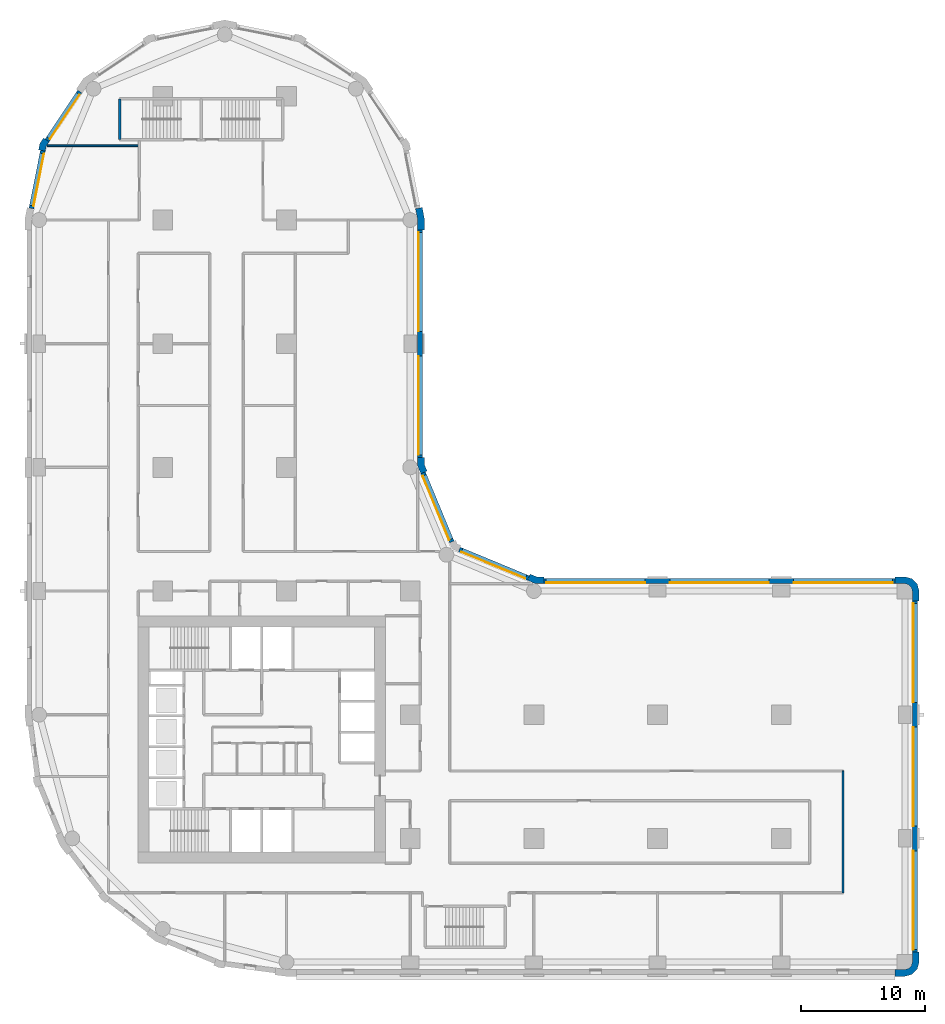
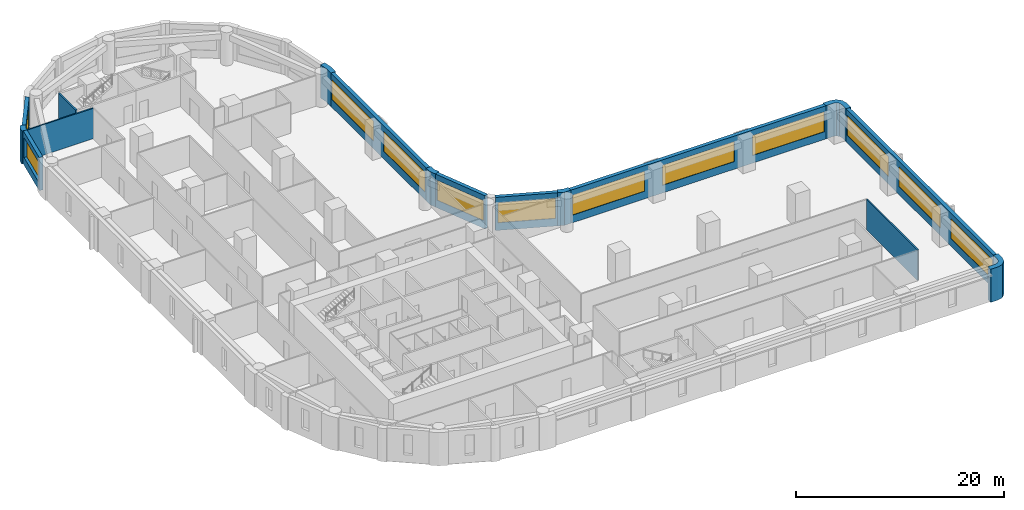
# One storey, part 6 of 10: 16 walls, 12 windows, 12 openings.
"""IFC4 building model written with IfcOpenShell, lengths in metres."""

import ifcopenshell
import ifcopenshell.guid

model = None  # the IFC model being written
_history = None  # IfcOwnerHistory: only IFC2X3 demands one
_inside = {}  # id of a spatial element -> (the spatial element, [elements in it])
_under = {}  # id of a project, library or spatial element -> (it, [spatial elements below it])
_declared = {}  # id of a project -> (the project, [libraries it declares])
_typed = {}  # id of a type object -> (the type object, [elements of that type])
_made_of = {}  # id of a material, layer set ... -> (it, [elements and type objects made of it])


def new_model(schema):
    """Start an empty IFC model of exactly this schema.

    Asked for "IFC4X3", IfcOpenShell would pick the latest addendum, in which some entities
    have other attributes; the version numbers below select the first issue.
    IFC2X3 requires an IfcOwnerHistory on every rooted entity: one is made here for all.
    """
    global model, _history
    if schema == "IFC4X3":
        model = ifcopenshell.file(schema_version=(4, 3, 0, 0))
    else:
        model = ifcopenshell.file(schema=schema)
    _inside.clear()
    _under.clear()
    _declared.clear()
    _typed.clear()
    _made_of.clear()
    _history = None
    if model.schema == "IFC2X3":
        org = make("IfcOrganization", Name="unknown")
        user = make(
            "IfcPersonAndOrganization",
            ThePerson=make("IfcPerson", FamilyName="unknown"),
            TheOrganization=org,
        )
        app = make(
            "IfcApplication",
            ApplicationDeveloper=org,
            Version="unknown",
            ApplicationFullName="unknown",
            ApplicationIdentifier="unknown",
        )
        _history = make(
            "IfcOwnerHistory",
            OwningUser=user,
            OwningApplication=app,
            ChangeAction="ADDED",
            CreationDate=0,
        )
    return model


def make(cls, **values):
    """One entity of the class cls with the attributes given. An attribute that is None is left unset."""
    return model.create_entity(
        cls, **{name: value for name, value in values.items() if value is not None}
    )


def rooted(cls, **values):
    """An entity with a GlobalId (a new one), such as an element, a storey or a relation."""
    return make(cls, GlobalId=ifcopenshell.guid.new(), OwnerHistory=_history, **values)


def si_unit(unit_type, name, prefix=None):
    """IfcSIUnit, for example si_unit("LENGTHUNIT", "METRE", prefix="MILLI")."""
    return make("IfcSIUnit", UnitType=unit_type, Prefix=prefix, Name=name)


def assignment(units):
    """IfcUnitAssignment: the units of a project."""
    return None if units is None else make("IfcUnitAssignment", Units=units)


def point(xyz):
    """IfcCartesianPoint."""
    return None if xyz is None else make("IfcCartesianPoint", Coordinates=xyz)


def direction(xyz):
    """IfcDirection."""
    return None if xyz is None else make("IfcDirection", DirectionRatios=xyz)


def frame(location, z_axis=None, x_axis=None):
    """IfcAxis2Placement3D, a coordinate frame: its origin and axes. An axis left out is left unset."""
    return make(
        "IfcAxis2Placement3D",
        Location=point(location),
        Axis=direction(z_axis),
        RefDirection=direction(x_axis),
    )


def frame_2d(location, x_axis=None):
    """IfcAxis2Placement2D, a coordinate frame in the plane: its origin and x axis."""
    return make(
        "IfcAxis2Placement2D", Location=point(location), RefDirection=direction(x_axis)
    )


def origin():
    """The frame at (0, 0, 0) with its axes left unset."""
    return frame((0.0, 0.0, 0.0))


def place(relative_to, where):
    """IfcLocalPlacement: puts the frame where relative to a parent placement (None: the world)."""
    return make(
        "IfcLocalPlacement", PlacementRelTo=relative_to, RelativePlacement=where
    )


def context(
    kind, dimensions, precision=None, world=None, true_north=None, identifier=None
):
    """IfcGeometricRepresentationContext, for example the 3D "Model" context."""
    return make(
        "IfcGeometricRepresentationContext",
        ContextIdentifier=identifier,
        ContextType=kind,
        CoordinateSpaceDimension=dimensions,
        Precision=precision,
        WorldCoordinateSystem=world,
        TrueNorth=true_north,
    )


def subcontext(parent, identifier, kind, view, scale=None):
    """IfcGeometricRepresentationSubContext, for example "Body" below "Model"."""
    return make(
        "IfcGeometricRepresentationSubContext",
        ContextIdentifier=identifier,
        ContextType=kind,
        ParentContext=parent,
        TargetScale=scale,
        TargetView=view,
    )


def project(units=None, contexts=None):
    """IfcProject with its units and contexts."""
    return rooted(
        "IfcProject",
        Name="project",
        RepresentationContexts=contexts,
        UnitsInContext=assignment(units),
    )


def spatial(cls, under=None, at=None, **own):
    """A site, building, storey or space (cls), placed at a placement, below another one or the project."""
    s = rooted(cls, ObjectPlacement=at, **own)
    if under is not None:
        _under.setdefault(under.id(), (under, []))[1].append(s)
    return s


def polyline(points):
    """IfcPolyline through the points."""
    return make("IfcPolyline", Points=[point(p) for p in points])


def profile(cls, at=None, kind="AREA", **sizes):
    """A parametric profile (cls). Its sizes go by their IFC names, for example OverallWidth=200.0."""
    return make(cls, ProfileType=kind, Position=at, **sizes)


def rectangle(**sizes):
    """IfcRectangleProfileDef."""
    return profile("IfcRectangleProfileDef", **sizes)


def outline(outer, holes=None, kind="AREA"):
    """IfcArbitraryClosedProfileDef: a profile drawn as a closed curve; with holes, ...WithVoids."""
    if holes is None:
        return make("IfcArbitraryClosedProfileDef", ProfileType=kind, OuterCurve=outer)
    return make(
        "IfcArbitraryProfileDefWithVoids",
        ProfileType=kind,
        OuterCurve=outer,
        InnerCurves=holes,
    )


def extrude(swept, where, along, depth):
    """IfcExtrudedAreaSolid: the profile swept, set in the frame where, extruded along a direction by depth."""
    return make(
        "IfcExtrudedAreaSolid",
        SweptArea=swept,
        Position=where,
        ExtrudedDirection=direction(along),
        Depth=depth,
    )


def shape(context_of_items, identifier, shape_type, items):
    """IfcShapeRepresentation: the items that make up one representation, for example the "Body"."""
    return make(
        "IfcShapeRepresentation",
        ContextOfItems=context_of_items,
        RepresentationIdentifier=identifier,
        RepresentationType=shape_type,
        Items=items,
    )


def material(Name=None, Category=None):
    """IfcMaterial."""
    return make("IfcMaterial", Name=Name, Category=Category)


def layer(
    of_material, thickness, ventilated=None, Name=None, Category=None, Priority=None
):
    """IfcMaterialLayer: one layer of a wall or slab, of a material (None: an air gap)."""
    return make(
        "IfcMaterialLayer",
        Material=of_material,
        LayerThickness=thickness,
        IsVentilated=ventilated,
        Name=Name,
        Category=Category,
        Priority=Priority,
    )


def layer_set(layers, Name=None):
    """IfcMaterialLayerSet."""
    return make("IfcMaterialLayerSet", MaterialLayers=layers, LayerSetName=Name)


def made_of(thing, what):
    """Note that an element or type object is made of a material, layer set ...; save() writes the relation."""
    if what is not None:
        _made_of.setdefault(what.id(), (what, []))[1].append(thing)
    return thing


def type_object(cls, material=None, **own):
    """A type object (cls), such as IfcWallType, which elements share."""
    return made_of(rooted(cls, **own), material)


def element(
    cls,
    number,
    at=None,
    inside=None,
    cuts=None,
    type_object=None,
    material=None,
    context=None,
    identifier="Body",
    shape_type=None,
    held_by="IfcProductDefinitionShape",
    body=None,
    shapes=None,
    **own,
):
    """One element of the class cls, such as IfcWall. Its Tag is "e" and its number.

    at: its placement. inside: the storey or other place that contains it. cuts: it is an
    opening in that element (IfcRelVoidsElement). A single representation is given by context,
    identifier, shape_type and body (its items); several are given by shapes. held_by: the class
    of the entity that holds the representations. save() writes the other relations.
    """
    e = rooted(cls, Tag="e%d" % number, ObjectPlacement=at, **own)
    if body is not None:
        shapes = [shape(context, identifier, shape_type, body)]
    if shapes is not None:
        e.Representation = make(held_by, Representations=shapes)
    if inside is not None:
        _inside.setdefault(inside.id(), (inside, []))[1].append(e)
    if cuts is not None:
        rooted(
            "IfcRelVoidsElement", RelatingBuildingElement=cuts, RelatedOpeningElement=e
        )
    if type_object is not None:
        _typed.setdefault(type_object.id(), (type_object, []))[1].append(e)
    return made_of(e, material)


def fill(opening, filler):
    """IfcRelFillsElement: the door or window that sits in an opening."""
    return rooted(
        "IfcRelFillsElement",
        RelatingOpeningElement=opening,
        RelatedBuildingElement=filler,
    )


def aggregate(whole, parts):
    """IfcRelAggregates: a whole, such as a stair, and the parts it consists of."""
    return rooted("IfcRelAggregates", RelatingObject=whole, RelatedObjects=parts)


def save(model, path):
    """Write the relations noted so far, then the file.

    IfcRelAggregates (storeys below a building ...), IfcRelContainedInSpatialStructure (elements
    in a storey), IfcRelDefinesByType, IfcRelAssociatesMaterial and IfcRelDeclares: one each for
    every whole, place, type object, material and project.
    """
    for whole, parts in _under.values():
        aggregate(whole, parts)
    for where, things in _inside.values():
        rooted(
            "IfcRelContainedInSpatialStructure",
            RelatedElements=things,
            RelatingStructure=where,
        )
    for kind, things in _typed.values():
        rooted("IfcRelDefinesByType", RelatedObjects=things, RelatingType=kind)
    for what, things in _made_of.values():
        rooted("IfcRelAssociatesMaterial", RelatedObjects=things, RelatingMaterial=what)
    for by, libraries in _declared.values():
        rooted("IfcRelDeclares", RelatingContext=by, RelatedDefinitions=libraries)
    model.write(path)


model = new_model("IFC4")

# Units and contexts
model_context = context("Model", 3, precision=1e-05, world=origin(), true_north=direction((0.0, 1.0)))
body_context = subcontext(model_context, "Body", "Model", "MODEL_VIEW")
ifc_project = project(units=[si_unit("LENGTHUNIT", "METRE"), si_unit("AREAUNIT", "SQUARE_METRE"), si_unit("VOLUMEUNIT", "CUBIC_METRE"), si_unit("PLANEANGLEUNIT", "RADIAN"), si_unit("MASSUNIT", "GRAM", prefix="KILO")], contexts=[model_context])

# Site, building, storey
site_placement = place(None, origin())
site = spatial("IfcSite", under=ifc_project, at=site_placement, CompositionType="ELEMENT")
building_placement = place(site_placement, origin())
building = spatial("IfcBuilding", under=site, at=building_placement, Name="Qaws Garden Tower", CompositionType="ELEMENT")
storey_placement = place(building_placement, frame((0.0, 0.0, 93.89990234375)))
storey = spatial("IfcBuildingStorey", under=building, at=storey_placement, Name="L23", CompositionType="ELEMENT", Elevation=93.89990234375)

# Walls
ifc_material_1 = material(Name="Clay facing brick masonry", Category="masonry")
ifc_layer_1 = layer(ifc_material_1, 0.550048828125)
ifc_layer_set_1 = layer_set([ifc_layer_1], Name="Clay facing brick masonry")
wall_type_1 = type_object("IfcWallType", Name="Brick corner pier 550 x 2400", PredefinedType="SOLIDWALL", material=ifc_layer_set_1)
placement = place(storey_placement, origin())
element("IfcWall", 1, at=placement, inside=storey, type_object=wall_type_1, Name="E-L23-pier-05", PredefinedType="SOLIDWALL", context=body_context, shape_type="SweptSolid", body=[
    extrude(outline(polyline([(69.199951171875, -1.0), (69.199951171875, -1.14990234375), (70.0, -1.14990234375), (70.574951171875, -0.995849609375), (70.995849609375, -0.574951171875), (71.14990234375, 0.0), (71.14990234375, 0.800048828125), (71.0, 0.800048828125), (70.60009765625, 0.800048828125), (70.60009765625, 0.0), (70.51953125, -0.300048828125), (70.300048828125, -0.51953125), (70.0, -0.60009765625), (69.199951171875, -0.60009765625), (69.199951171875, -1.0)])), origin(), (0.0, 0.0, 1.0), 3.900146484375),
])
element("IfcWall", 2, at=placement, inside=storey, type_object=wall_type_1, Name="E-L23-pier-08", PredefinedType="SOLIDWALL", context=body_context, shape_type="SweptSolid", body=[
    extrude(outline(polyline([(71.0, 29.199951171875), (71.14990234375, 29.199951171875), (71.14990234375, 30.0), (70.995849609375, 30.574951171875), (70.574951171875, 30.995849609375), (70.0, 31.14990234375), (69.199951171875, 31.14990234375), (69.199951171875, 31.0), (69.199951171875, 30.60009765625), (70.0, 30.60009765625), (70.300048828125, 30.51953125), (70.51953125, 30.300048828125), (70.60009765625, 30.0), (70.60009765625, 29.199951171875), (71.0, 29.199951171875)])), origin(), (0.0, 0.0, 1.0), 3.900146484375),
])

# Wall, openings, windows
ifc_material_2 = material(Name="Clay facing brick masonry", Category="masonry")
ifc_layer_2 = layer(ifc_material_2, 0.39990234375)
ifc_layer_set_2 = layer_set([ifc_layer_2], Name="Clay facing brick masonry")
wall_type_2 = type_object("IfcWallType", Name="Brick infill wall 400", PredefinedType="SOLIDWALL", material=ifc_layer_set_2)
wall_3_placement = place(storey_placement, frame((70.800048828125, 0.800048828125, 0.0), z_axis=(0.0, 0.0, 1.0), x_axis=(0.0, 1.0, 0.0)))
wall_3 = element("IfcWall", 3, at=wall_3_placement, inside=storey, type_object=wall_type_2, Name="E-L23-infill-05", PredefinedType="SOLIDWALL", context=body_context, shape_type="SweptSolid", body=[
    extrude(rectangle(XDim=28.39990234375, YDim=0.39990234375, at=frame_2d((14.199951171875, 0.0))), origin(), (0.0, 0.0, 1.0), 3.900146484375),
])
opening_1_placement = place(wall_3_placement, frame((0.199951171875, 0.0, 0.89990234375)))
opening_1 = element("IfcOpeningElement", 4, at=opening_1_placement, cuts=wall_3, Name="Opening W01", PredefinedType="OPENING", context=body_context, shape_type="SweptSolid", body=[
    extrude(rectangle(XDim=8.0, YDim=2.35009765625, at=frame_2d((4.0, 1.175048828125))), frame((0.0, 0.2099609375, 0.0), z_axis=(0.0, -1.0, 0.0), x_axis=(1.0, 0.0, 0.0)), (0.0, 0.0, 1.0), 0.419921875),
])
opening_2_placement = place(wall_3_placement, frame((10.199951171875, 0.0, 0.89990234375)))
opening_2 = element("IfcOpeningElement", 5, at=opening_2_placement, cuts=wall_3, Name="Opening W01", PredefinedType="OPENING", context=body_context, shape_type="SweptSolid", body=[
    extrude(rectangle(XDim=8.0, YDim=2.35009765625, at=frame_2d((4.0, 1.175048828125))), frame((0.0, 0.2099609375, 0.0), z_axis=(0.0, -1.0, 0.0), x_axis=(1.0, 0.0, 0.0)), (0.0, 0.0, 1.0), 0.419921875),
])
opening_3_placement = place(wall_3_placement, frame((20.199951171875, 0.0, 0.89990234375)))
opening_3 = element("IfcOpeningElement", 6, at=opening_3_placement, cuts=wall_3, Name="Opening W01", PredefinedType="OPENING", context=body_context, shape_type="SweptSolid", body=[
    extrude(rectangle(XDim=8.0, YDim=2.35009765625, at=frame_2d((4.0, 1.175048828125))), frame((0.0, 0.2099609375, 0.0), z_axis=(0.0, -1.0, 0.0), x_axis=(1.0, 0.0, 0.0)), (0.0, 0.0, 1.0), 0.419921875),
])
ifc_material_3 = material(Name="Aluminium framed window, clear glazing", Category="aluminium")
window_type_1 = type_object("IfcWindowType", Name="Ribbon window 8000 x 2350", PartitioningType="DOUBLE_PANEL_VERTICAL", PredefinedType="WINDOW", material=ifc_material_3)
window_1_placement = place(opening_1_placement, origin())
window_1 = element("IfcWindow", 7, at=window_1_placement, inside=storey, type_object=window_type_1, Name="E-L23-window-05-0", OverallHeight=2.35009765625, OverallWidth=8.0, PartitioningType="SINGLE_PANEL", PredefinedType="WINDOW", context=body_context, shape_type="SweptSolid", body=[
    extrude(rectangle(XDim=8.0, YDim=2.35009765625, at=frame_2d((4.0, 1.175048828125))), frame((0.0, 0.159912109375, 0.0), z_axis=(0.0, -1.0, 0.0), x_axis=(1.0, 0.0, 0.0)), (0.0, 0.0, 1.0), 0.06005859375),
])
fill(opening_1, window_1)
window_2_placement = place(opening_2_placement, origin())
window_2 = element("IfcWindow", 8, at=window_2_placement, inside=storey, type_object=window_type_1, Name="E-L23-window-06-0", OverallHeight=2.35009765625, OverallWidth=8.0, PartitioningType="SINGLE_PANEL", PredefinedType="WINDOW", context=body_context, shape_type="SweptSolid", body=[
    extrude(rectangle(XDim=8.0, YDim=2.35009765625, at=frame_2d((4.0, 1.175048828125))), frame((0.0, 0.159912109375, 0.0), z_axis=(0.0, -1.0, 0.0), x_axis=(1.0, 0.0, 0.0)), (0.0, 0.0, 1.0), 0.06005859375),
])
fill(opening_2, window_2)
window_3_placement = place(opening_3_placement, origin())
window_3 = element("IfcWindow", 9, at=window_3_placement, inside=storey, type_object=window_type_1, Name="E-L23-window-07-0", OverallHeight=2.35009765625, OverallWidth=8.0, PartitioningType="SINGLE_PANEL", PredefinedType="WINDOW", context=body_context, shape_type="SweptSolid", body=[
    extrude(rectangle(XDim=8.0, YDim=2.35009765625, at=frame_2d((4.0, 1.175048828125))), frame((0.0, 0.159912109375, 0.0), z_axis=(0.0, -1.0, 0.0), x_axis=(1.0, 0.0, 0.0)), (0.0, 0.0, 1.0), 0.06005859375),
])
fill(opening_3, window_3)

wall_4_placement = place(storey_placement, frame((69.199951171875, 30.800048828125, 0.0), z_axis=(0.0, 0.0, 1.0), x_axis=(-1.0, 0.0, 0.0)))
wall_4 = element("IfcWall", 10, at=wall_4_placement, inside=storey, type_object=wall_type_2, Name="E-L23-infill-08", PredefinedType="SOLIDWALL", context=body_context, shape_type="SweptSolid", body=[
    extrude(rectangle(XDim=28.39990234375, YDim=0.39990234375, at=frame_2d((14.199951171875, 0.0))), origin(), (0.0, 0.0, 1.0), 3.900146484375),
])
opening_4_placement = place(wall_4_placement, frame((0.199951171875, 0.0, 0.89990234375)))
opening_4 = element("IfcOpeningElement", 11, at=opening_4_placement, cuts=wall_4, Name="Opening W01", PredefinedType="OPENING", context=body_context, shape_type="SweptSolid", body=[
    extrude(rectangle(XDim=8.0, YDim=2.35009765625, at=frame_2d((4.0, 1.175048828125))), frame((0.0, 0.2099609375, 0.0), z_axis=(0.0, -1.0, 0.0), x_axis=(1.0, 0.0, 0.0)), (0.0, 0.0, 1.0), 0.419921875),
])
opening_5_placement = place(wall_4_placement, frame((10.199951171875, 0.0, 0.89990234375)))
opening_5 = element("IfcOpeningElement", 12, at=opening_5_placement, cuts=wall_4, Name="Opening W01", PredefinedType="OPENING", context=body_context, shape_type="SweptSolid", body=[
    extrude(rectangle(XDim=8.0, YDim=2.35009765625, at=frame_2d((4.0, 1.175048828125))), frame((0.0, 0.2099609375, 0.0), z_axis=(0.0, -1.0, 0.0), x_axis=(1.0, 0.0, 0.0)), (0.0, 0.0, 1.0), 0.419921875),
])
opening_6_placement = place(wall_4_placement, frame((20.199951171875, 0.0, 0.89990234375)))
opening_6 = element("IfcOpeningElement", 13, at=opening_6_placement, cuts=wall_4, Name="Opening W01", PredefinedType="OPENING", context=body_context, shape_type="SweptSolid", body=[
    extrude(rectangle(XDim=8.0, YDim=2.35009765625, at=frame_2d((4.0, 1.175048828125))), frame((0.0, 0.2099609375, 0.0), z_axis=(0.0, -1.0, 0.0), x_axis=(1.0, 0.0, 0.0)), (0.0, 0.0, 1.0), 0.419921875),
])
window_4_placement = place(opening_4_placement, origin())
window_4 = element("IfcWindow", 14, at=window_4_placement, inside=storey, type_object=window_type_1, Name="E-L23-window-08-0", OverallHeight=2.35009765625, OverallWidth=8.0, PartitioningType="SINGLE_PANEL", PredefinedType="WINDOW", context=body_context, shape_type="SweptSolid", body=[
    extrude(rectangle(XDim=8.0, YDim=2.35009765625, at=frame_2d((4.0, 1.175048828125))), frame((0.0, 0.159912109375, 0.0), z_axis=(0.0, -1.0, 0.0), x_axis=(1.0, 0.0, 0.0)), (0.0, 0.0, 1.0), 0.06005859375),
])
fill(opening_4, window_4)
window_5_placement = place(opening_5_placement, origin())
window_5 = element("IfcWindow", 15, at=window_5_placement, inside=storey, type_object=window_type_1, Name="E-L23-window-09-0", OverallHeight=2.35009765625, OverallWidth=8.0, PartitioningType="SINGLE_PANEL", PredefinedType="WINDOW", context=body_context, shape_type="SweptSolid", body=[
    extrude(rectangle(XDim=8.0, YDim=2.35009765625, at=frame_2d((4.0, 1.175048828125))), frame((0.0, 0.159912109375, 0.0), z_axis=(0.0, -1.0, 0.0), x_axis=(1.0, 0.0, 0.0)), (0.0, 0.0, 1.0), 0.06005859375),
])
fill(opening_5, window_5)
window_6_placement = place(opening_6_placement, origin())
window_6 = element("IfcWindow", 16, at=window_6_placement, inside=storey, type_object=window_type_1, Name="E-L23-window-10-0", OverallHeight=2.35009765625, OverallWidth=8.0, PartitioningType="SINGLE_PANEL", PredefinedType="WINDOW", context=body_context, shape_type="SweptSolid", body=[
    extrude(rectangle(XDim=8.0, YDim=2.35009765625, at=frame_2d((4.0, 1.175048828125))), frame((0.0, 0.159912109375, 0.0), z_axis=(0.0, -1.0, 0.0), x_axis=(1.0, 0.0, 0.0)), (0.0, 0.0, 1.0), 0.06005859375),
])
fill(opening_6, window_6)

# Wall, opening, window
wall_5_placement = place(storey_placement, frame((39.56689453125, 31.04541015625, 0.0), z_axis=(0.0, 0.0, 1.0), x_axis=(-0.923891000409, 0.382655745237, 0.0)))
wall_5 = element("IfcWall", 17, at=wall_5_placement, inside=storey, type_object=wall_type_2, Name="E-L23-infill-11", PredefinedType="SOLIDWALL", context=body_context, shape_type="SweptSolid", body=[
    extrude(rectangle(XDim=6.053466796875, YDim=0.39990234375, at=frame_2d((3.02685546875, 0.0))), origin(), (0.0, 0.0, 1.0), 3.900146484375),
])
opening_7_placement = place(wall_5_placement, frame((0.226806640625, 0.0, 0.89990234375)))
opening_7 = element("IfcOpeningElement", 18, at=opening_7_placement, cuts=wall_5, Name="Opening W04", PredefinedType="OPENING", context=body_context, shape_type="SweptSolid", body=[
    extrude(rectangle(XDim=5.60009765625, YDim=2.35009765625, at=frame_2d((2.800048828125, 1.175048828125))), frame((0.0, 0.2099609375, 0.0), z_axis=(0.0, -1.0, 0.0), x_axis=(1.0, 0.0, 0.0)), (0.0, 0.0, 1.0), 0.419921875),
])
ifc_material_4 = material(Name="Aluminium framed window, clear glazing", Category="aluminium")
window_type_2 = type_object("IfcWindowType", Name="Ribbon window 5600 x 2350", PartitioningType="DOUBLE_PANEL_VERTICAL", PredefinedType="WINDOW", material=ifc_material_4)
window_7_placement = place(opening_7_placement, origin())
window_7 = element("IfcWindow", 19, at=window_7_placement, inside=storey, type_object=window_type_2, Name="E-L23-window-11-0", OverallHeight=2.35009765625, OverallWidth=5.60009765625, PartitioningType="SINGLE_PANEL", PredefinedType="WINDOW", context=body_context, shape_type="SweptSolid", body=[
    extrude(rectangle(XDim=5.60009765625, YDim=2.35009765625, at=frame_2d((2.800048828125, 1.175048828125))), frame((0.0, 0.159912109375, 0.0), z_axis=(0.0, -1.0, 0.0), x_axis=(1.0, 0.0, 0.0)), (0.0, 0.0, 1.0), 0.06005859375),
])
fill(opening_7, window_7)

wall_6_placement = place(storey_placement, frame((33.36181640625, 33.97412109375, 0.0), z_axis=(0.0, 0.0, 1.0), x_axis=(-0.382655745237, 0.923891000409, 0.0)))
wall_6 = element("IfcWall", 20, at=wall_6_placement, inside=storey, type_object=wall_type_2, Name="E-L23-infill-12", PredefinedType="SOLIDWALL", context=body_context, shape_type="SweptSolid", body=[
    extrude(rectangle(XDim=6.053466796875, YDim=0.39990234375, at=frame_2d((3.02685546875, 0.0))), origin(), (0.0, 0.0, 1.0), 3.900146484375),
])
opening_8_placement = place(wall_6_placement, frame((0.226806640625, 0.0, 0.89990234375)))
opening_8 = element("IfcOpeningElement", 21, at=opening_8_placement, cuts=wall_6, Name="Opening W04", PredefinedType="OPENING", context=body_context, shape_type="SweptSolid", body=[
    extrude(rectangle(XDim=5.60009765625, YDim=2.35009765625, at=frame_2d((2.800048828125, 1.175048828125))), frame((0.0, 0.2099609375, 0.0), z_axis=(0.0, -1.0, 0.0), x_axis=(1.0, 0.0, 0.0)), (0.0, 0.0, 1.0), 0.419921875),
])
window_8_placement = place(opening_8_placement, origin())
window_8 = element("IfcWindow", 22, at=window_8_placement, inside=storey, type_object=window_type_2, Name="E-L23-window-12-0", OverallHeight=2.35009765625, OverallWidth=5.60009765625, PartitioningType="SINGLE_PANEL", PredefinedType="WINDOW", context=body_context, shape_type="SweptSolid", body=[
    extrude(rectangle(XDim=5.60009765625, YDim=2.35009765625, at=frame_2d((2.800048828125, 1.175048828125))), frame((0.0, 0.159912109375, 0.0), z_axis=(0.0, -1.0, 0.0), x_axis=(1.0, 0.0, 0.0)), (0.0, 0.0, 1.0), 0.06005859375),
])
fill(opening_8, window_8)

# Wall, openings, windows
wall_7_placement = place(storey_placement, frame((30.800048828125, 40.800048828125, 0.0), z_axis=(0.0, 0.0, 1.0), x_axis=(0.0, 1.0, 0.0)))
wall_7 = element("IfcWall", 23, at=wall_7_placement, inside=storey, type_object=wall_type_2, Name="E-L23-infill-13", PredefinedType="SOLIDWALL", context=body_context, shape_type="SweptSolid", body=[
    extrude(rectangle(XDim=18.39990234375, YDim=0.39990234375, at=frame_2d((9.199951171875, 0.0))), origin(), (0.0, 0.0, 1.0), 3.900146484375),
])
opening_9_placement = place(wall_7_placement, frame((0.199951171875, 0.0, 0.89990234375)))
opening_9 = element("IfcOpeningElement", 24, at=opening_9_placement, cuts=wall_7, Name="Opening W01", PredefinedType="OPENING", context=body_context, shape_type="SweptSolid", body=[
    extrude(rectangle(XDim=8.0, YDim=2.35009765625, at=frame_2d((4.0, 1.175048828125))), frame((0.0, 0.2099609375, 0.0), z_axis=(0.0, -1.0, 0.0), x_axis=(1.0, 0.0, 0.0)), (0.0, 0.0, 1.0), 0.419921875),
])
opening_10_placement = place(wall_7_placement, frame((10.199951171875, 0.0, 0.89990234375)))
opening_10 = element("IfcOpeningElement", 25, at=opening_10_placement, cuts=wall_7, Name="Opening W01", PredefinedType="OPENING", context=body_context, shape_type="SweptSolid", body=[
    extrude(rectangle(XDim=8.0, YDim=2.35009765625, at=frame_2d((4.0, 1.175048828125))), frame((0.0, 0.2099609375, 0.0), z_axis=(0.0, -1.0, 0.0), x_axis=(1.0, 0.0, 0.0)), (0.0, 0.0, 1.0), 0.419921875),
])
window_9_placement = place(opening_9_placement, origin())
window_9 = element("IfcWindow", 26, at=window_9_placement, inside=storey, type_object=window_type_1, Name="E-L23-window-13-0", OverallHeight=2.35009765625, OverallWidth=8.0, PartitioningType="SINGLE_PANEL", PredefinedType="WINDOW", context=body_context, shape_type="SweptSolid", body=[
    extrude(rectangle(XDim=8.0, YDim=2.35009765625, at=frame_2d((4.0, 1.175048828125))), frame((0.0, 0.159912109375, 0.0), z_axis=(0.0, -1.0, 0.0), x_axis=(1.0, 0.0, 0.0)), (0.0, 0.0, 1.0), 0.06005859375),
])
fill(opening_9, window_9)
window_10_placement = place(opening_10_placement, origin())
window_10 = element("IfcWindow", 27, at=window_10_placement, inside=storey, type_object=window_type_1, Name="E-L23-window-14-0", OverallHeight=2.35009765625, OverallWidth=8.0, PartitioningType="SINGLE_PANEL", PredefinedType="WINDOW", context=body_context, shape_type="SweptSolid", body=[
    extrude(rectangle(XDim=8.0, YDim=2.35009765625, at=frame_2d((4.0, 1.175048828125))), frame((0.0, 0.159912109375, 0.0), z_axis=(0.0, -1.0, 0.0), x_axis=(1.0, 0.0, 0.0)), (0.0, 0.0, 1.0), 0.06005859375),
])
fill(opening_10, window_10)

# Wall, opening, window
wall_8_placement = place(storey_placement, frame((3.28369140625, 70.385986328125, 0.0), z_axis=(0.0, 0.0, 1.0), x_axis=(-0.555541552266, -0.831488775454, 0.0)))
wall_8 = element("IfcWall", 28, at=wall_8_placement, inside=storey, type_object=wall_type_2, Name="E-L23-infill-21", PredefinedType="SOLIDWALL", context=body_context, shape_type="SweptSolid", body=[
    extrude(rectangle(XDim=4.752685546875, YDim=0.39990234375, at=frame_2d((2.37646484375, 0.0))), origin(), (0.0, 0.0, 1.0), 3.900146484375),
])
opening_11_placement = place(wall_8_placement, frame((0.226318359375, 0.0, 0.89990234375)))
opening_11 = element("IfcOpeningElement", 29, at=opening_11_placement, cuts=wall_8, Name="Opening W06", PredefinedType="OPENING", context=body_context, shape_type="SweptSolid", body=[
    extrude(rectangle(XDim=4.300048828125, YDim=2.35009765625, at=frame_2d((2.14990234375, 1.175048828125))), frame((0.0, 0.2099609375, 0.0), z_axis=(0.0, -1.0, 0.0), x_axis=(1.0, 0.0, 0.0)), (0.0, 0.0, 1.0), 0.419921875),
])
ifc_material_5 = material(Name="Aluminium framed window, clear glazing", Category="aluminium")
window_type_3 = type_object("IfcWindowType", Name="Ribbon window 4300 x 2350", PartitioningType="DOUBLE_PANEL_VERTICAL", PredefinedType="WINDOW", material=ifc_material_5)
window_11_placement = place(opening_11_placement, origin())
window_11 = element("IfcWindow", 30, at=window_11_placement, inside=storey, type_object=window_type_3, Name="E-L23-window-21-0", OverallHeight=2.35009765625, OverallWidth=4.300048828125, PartitioningType="SINGLE_PANEL", PredefinedType="WINDOW", context=body_context, shape_type="SweptSolid", body=[
    extrude(rectangle(XDim=4.300048828125, YDim=2.35009765625, at=frame_2d((2.14990234375, 1.175048828125))), frame((0.0, 0.159912109375, 0.0), z_axis=(0.0, -1.0, 0.0), x_axis=(1.0, 0.0, 0.0)), (0.0, 0.0, 1.0), 0.06005859375),
])
fill(opening_11, window_11)

wall_9_placement = place(storey_placement, frame((0.298583984375, 65.60205078125, 0.0), z_axis=(0.0, 0.0, 1.0), x_axis=(-0.195098533057, -0.98078364709, 0.0)))
wall_9 = element("IfcWall", 31, at=wall_9_placement, inside=storey, type_object=wall_type_2, Name="E-L23-infill-22", PredefinedType="SOLIDWALL", context=body_context, shape_type="SweptSolid", body=[
    extrude(rectangle(XDim=4.752685546875, YDim=0.39990234375, at=frame_2d((2.37646484375, 0.0))), origin(), (0.0, 0.0, 1.0), 3.900146484375),
])
opening_12_placement = place(wall_9_placement, frame((0.226318359375, 0.0, 0.89990234375)))
opening_12 = element("IfcOpeningElement", 32, at=opening_12_placement, cuts=wall_9, Name="Opening W06", PredefinedType="OPENING", context=body_context, shape_type="SweptSolid", body=[
    extrude(rectangle(XDim=4.300048828125, YDim=2.35009765625, at=frame_2d((2.14990234375, 1.175048828125))), frame((0.0, 0.2099609375, 0.0), z_axis=(0.0, -1.0, 0.0), x_axis=(1.0, 0.0, 0.0)), (0.0, 0.0, 1.0), 0.419921875),
])
window_12_placement = place(opening_12_placement, origin())
window_12 = element("IfcWindow", 33, at=window_12_placement, inside=storey, type_object=window_type_3, Name="E-L23-window-22-0", OverallHeight=2.35009765625, OverallWidth=4.300048828125, PartitioningType="SINGLE_PANEL", PredefinedType="WINDOW", context=body_context, shape_type="SweptSolid", body=[
    extrude(rectangle(XDim=4.300048828125, YDim=2.35009765625, at=frame_2d((2.14990234375, 1.175048828125))), frame((0.0, 0.159912109375, 0.0), z_axis=(0.0, -1.0, 0.0), x_axis=(1.0, 0.0, 0.0)), (0.0, 0.0, 1.0), 0.06005859375),
])
fill(opening_12, window_12)

# Walls
ifc_material_6 = material(Name="Clay facing brick masonry", Category="masonry")
ifc_layer_3 = layer(ifc_material_6, 0.550048828125)
ifc_layer_set_3 = layer_set([ifc_layer_3], Name="Clay facing brick masonry")
wall_type_3 = type_object("IfcWallType", Name="Brick kink pier 550 x 600", PredefinedType="SOLIDWALL", material=ifc_layer_set_3)
element("IfcWall", 34, at=placement, inside=storey, type_object=wall_type_3, Name="E-L23-pier-22", PredefinedType="SOLIDWALL", context=body_context, shape_type="SweptSolid", body=[
    extrude(outline(polyline([(0.47705078125, 66.545166015625), (0.352294921875, 66.628662109375), (0.05859375, 66.18896484375), (-0.044677734375, 65.67041015625), (0.1025390625, 65.64111328125), (0.494873046875, 65.56298828125), (0.57666015625, 65.974365234375), (0.8095703125, 66.322998046875), (0.47705078125, 66.545166015625)])), origin(), (0.0, 0.0, 1.0), 3.900146484375),
])
ifc_material_7 = material(Name="Clay facing brick masonry", Category="masonry")
ifc_layer_4 = layer(ifc_material_7, 0.550048828125)
ifc_layer_set_4 = layer_set([ifc_layer_4], Name="Clay facing brick masonry")
wall_type_4 = type_object("IfcWallType", Name="Brick pier 550 x 1600", PredefinedType="SOLIDWALL", material=ifc_layer_set_4)
element("IfcWall", 35, at=placement, inside=storey, type_object=wall_type_4, Name="E-L23-pier-11", PredefinedType="SOLIDWALL", context=body_context, shape_type="SweptSolid", body=[
    extrude(outline(polyline([(40.800048828125, 31.0), (40.800048828125, 31.14990234375), (40.228759765625, 31.14990234375), (39.700927734375, 31.36865234375), (39.6435546875, 31.22998046875), (39.490478515625, 30.860595703125), (40.119384765625, 30.60009765625), (40.800048828125, 30.60009765625), (40.800048828125, 31.0)])), origin(), (0.0, 0.0, 1.0), 3.900146484375),
])
element("IfcWall", 36, at=placement, inside=storey, type_object=wall_type_4, Name="E-L23-pier-13", PredefinedType="SOLIDWALL", context=body_context, shape_type="SweptSolid", body=[
    extrude(outline(polyline([(31.22998046875, 39.6435546875), (31.36865234375, 39.700927734375), (31.14990234375, 40.228759765625), (31.14990234375, 40.800048828125), (31.0, 40.800048828125), (30.60009765625, 40.800048828125), (30.60009765625, 40.119384765625), (30.860595703125, 39.490478515625), (31.22998046875, 39.6435546875)])), origin(), (0.0, 0.0, 1.0), 3.900146484375),
])
element("IfcWall", 37, at=placement, inside=storey, type_object=wall_type_4, Name="E-L23-pier-15", PredefinedType="SOLIDWALL", context=body_context, shape_type="SweptSolid", body=[
    extrude(outline(polyline([(31.0, 59.199951171875), (31.14990234375, 59.199951171875), (31.14990234375, 60.11328125), (30.971923828125, 61.009033203125), (30.82470703125, 60.979736328125), (30.432373046875, 60.901611328125), (30.60009765625, 60.05908203125), (30.60009765625, 59.199951171875), (31.0, 59.199951171875)])), origin(), (0.0, 0.0, 1.0), 3.900146484375),
])
ifc_material_8 = material(Name="Concrete C80", Category="concrete")
ifc_layer_5 = layer(ifc_material_8, 0.199951171875)
ifc_layer_set_5 = layer_set([ifc_layer_5], Name="Concrete C80")
wall_type_5 = type_object("IfcWallType", Name="Core shaft wall 200 C80", PredefinedType="SHEAR", material=ifc_layer_set_5)
wall_14_placement = place(storey_placement, frame((6.5, 66.5, 0.0), z_axis=(0.0, 0.0, 1.0), x_axis=(0.0, 1.0, 0.0)))
element("IfcWall", 38, at=wall_14_placement, inside=storey, type_object=wall_type_5, Name="Shaft wall", PredefinedType="SHEAR", context=body_context, shape_type="SweptSolid", body=[
    extrude(rectangle(XDim=3.300048828125, YDim=0.199951171875, at=frame_2d((1.64990234375, 0.0))), origin(), (0.0, 0.0, 1.0), 3.580078125),
])
ifc_material_9 = material(Name="Gypsum board partition")
ifc_layer_6 = layer(ifc_material_9, 0.14990234375)
ifc_layer_set_6 = layer_set([ifc_layer_6], Name="Gypsum board partition")
wall_type_6 = type_object("IfcWallType", Name="PARTITION 150 EI 60", PredefinedType="PARTITIONING", material=ifc_layer_set_6)
wall_15_placement = place(storey_placement, frame((65.0, 5.60009765625, 0.0), z_axis=(0.0, 0.0, 1.0), x_axis=(0.0, 1.0, 0.0)))
element("IfcWall", 39, at=wall_15_placement, inside=storey, type_object=wall_type_6, Name="O-L23-wall-030", PredefinedType="PARTITIONING", context=body_context, shape_type="SweptSolid", body=[
    extrude(rectangle(XDim=9.849853515625, YDim=0.14990234375, at=frame_2d((4.9248046875, 0.0))), origin(), (0.0, 0.0, 1.0), 3.580078125),
])
wall_16_placement = place(storey_placement, frame((0.643798828125, 66.0, 0.0), z_axis=(0.0, 0.0, 1.0), x_axis=(1.0, 0.0, 0.0)))
element("IfcWall", 40, at=wall_16_placement, inside=storey, type_object=wall_type_6, Name="O-L23-wall-062", PredefinedType="PARTITIONING", context=body_context, shape_type="SweptSolid", body=[
    extrude(rectangle(XDim=7.456298828125, YDim=0.14990234375, at=frame_2d((3.72802734375, 0.0))), origin(), (0.0, 0.0, 1.0), 3.580078125),
])

save(model, "model.ifc")
